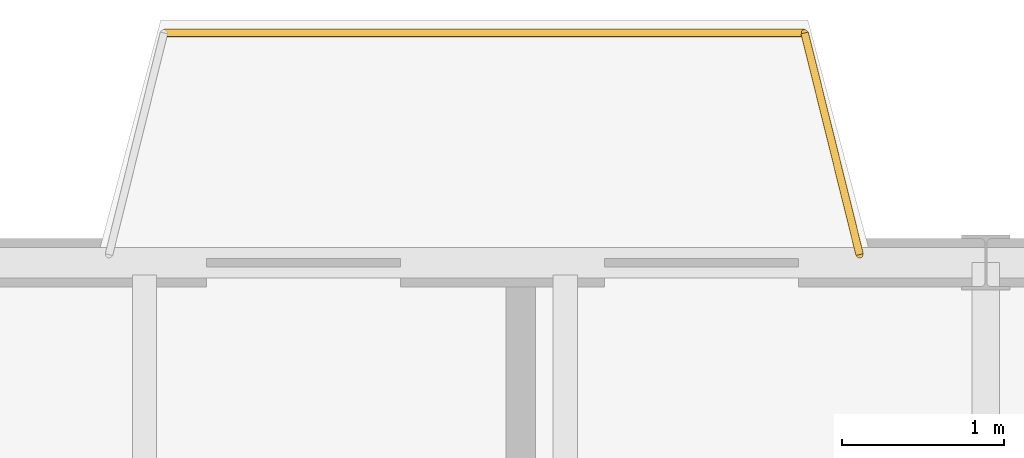
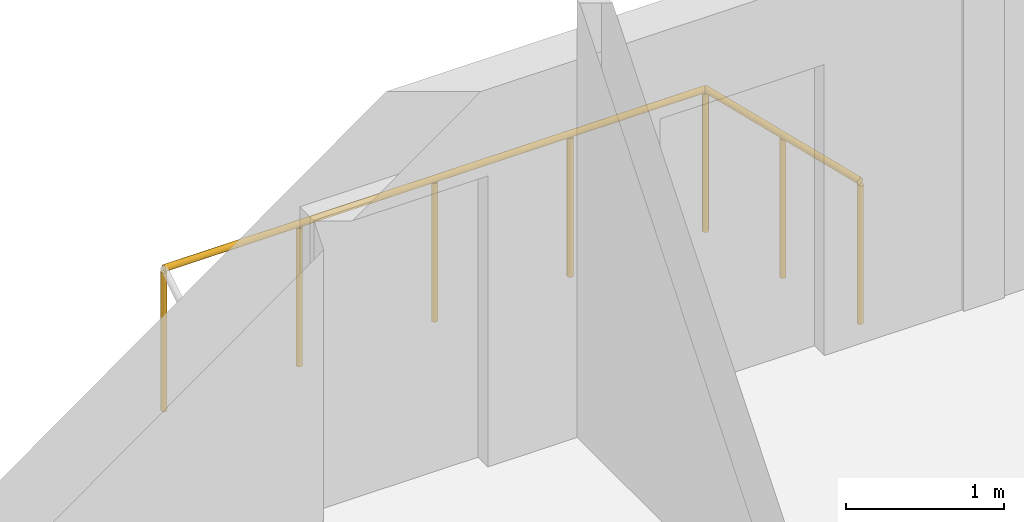
# One storey, part 25 of 25: 2 railings.
"""IFC4 building model written with IfcOpenShell, lengths in metres."""

from ifc_helpers import new_model, si_unit, direction, frame, origin, origin_2d, place, context, subcontext, project, spatial, circle, extrude, material, type_object, element, save


model = new_model("IFC4")

# Units and contexts
model_context = context("Model", 3, precision=1e-05, world=origin(), true_north=direction((0.0, 1.0)))
body_context = subcontext(model_context, "Body", "Model", "MODEL_VIEW")
ifc_project = project(units=[si_unit("LENGTHUNIT", "METRE"), si_unit("AREAUNIT", "SQUARE_METRE"), si_unit("VOLUMEUNIT", "CUBIC_METRE"), si_unit("PLANEANGLEUNIT", "RADIAN"), si_unit("MASSUNIT", "GRAM", prefix="KILO")], contexts=[model_context])

# Site, building, storey
site_placement = place(None, origin())
site = spatial("IfcSite", under=ifc_project, at=site_placement, CompositionType="ELEMENT")
building_placement = place(site_placement, origin())
building = spatial("IfcBuilding", under=site, at=building_placement, Name="Sefraquen Railside Congress Hotel", CompositionType="ELEMENT")
storey_placement = place(building_placement, frame((0.0, 0.0, 39.0)))
storey = spatial("IfcBuildingStorey", under=building, at=storey_placement, Name="L09", CompositionType="ELEMENT", Elevation=39.0)

# Railings
ifc_material = material(Name="Patinated wrought architectural bronze", Category="metal")
railing_type = type_object("IfcRailingType", Name="TRL-BAL-110", PredefinedType="BALUSTRADE", material=ifc_material)
railing_1_placement = place(storey_placement, frame((74.719970703125, 119.419921875, 0.0)))
element("IfcRailing", 1, at=railing_1_placement, inside=storey, type_object=railing_type, Name="Guest balcony Art Nouveau balustrade L09-04", PredefinedType="BALUSTRADE", context=body_context, shape_type="SweptSolid", body=[
    extrude(circle(Radius=0.02392578125, at=origin_2d()), frame((0.0, 0.0, 1.09619140625), z_axis=(1.0, 0.0, 0.0), x_axis=(0.0, 1.0, 0.0)), (0.0, 0.0, 1.0), 3.9599609375),
    extrude(circle(Radius=0.02099609375, at=origin_2d()), origin(), (0.0, 0.0, 1.0), 1.072021484375),
    extrude(circle(Radius=0.02099609375, at=origin_2d()), frame((0.989990234375, 0.0, 0.0)), (0.0, 0.0, 1.0), 1.072021484375),
    extrude(circle(Radius=0.02099609375, at=origin_2d()), frame((1.97998046875, 0.0, 0.0)), (0.0, 0.0, 1.0), 1.072021484375),
    extrude(circle(Radius=0.02099609375, at=origin_2d()), frame((2.969970703125, 0.0, 0.0)), (0.0, 0.0, 1.0), 1.072021484375),
    extrude(circle(Radius=0.02099609375, at=origin_2d()), frame((3.9599609375, 0.0, 0.0)), (0.0, 0.0, 1.0), 1.072021484375),
])
railing_2_placement = place(storey_placement, frame((78.679931640625, 119.419921875, 0.0)))
element("IfcRailing", 2, at=railing_2_placement, inside=storey, type_object=railing_type, Name="Guest balcony Art Nouveau balustrade L09-04", PredefinedType="BALUSTRADE", context=body_context, shape_type="SweptSolid", body=[
    extrude(circle(Radius=0.02392578125, at=origin_2d()), frame((0.0, 0.0, 1.09619140625), z_axis=(0.240948040829, -0.970538016577, 0.0), x_axis=(0.970538016577, 0.240948040829, 0.0)), (0.0, 0.0, 1.0), 1.411376953125),
    extrude(circle(Radius=0.02099609375, at=origin_2d()), origin(), (0.0, 0.0, 1.0), 1.072021484375),
    extrude(circle(Radius=0.02099609375, at=origin_2d()), frame((0.169921875, -0.68505859375, 0.0)), (0.0, 0.0, 1.0), 1.072021484375),
    extrude(circle(Radius=0.02099609375, at=origin_2d()), frame((0.340087890625, -1.369873046875, 0.0)), (0.0, 0.0, 1.0), 1.072021484375),
])

save(model, "model.ifc")
